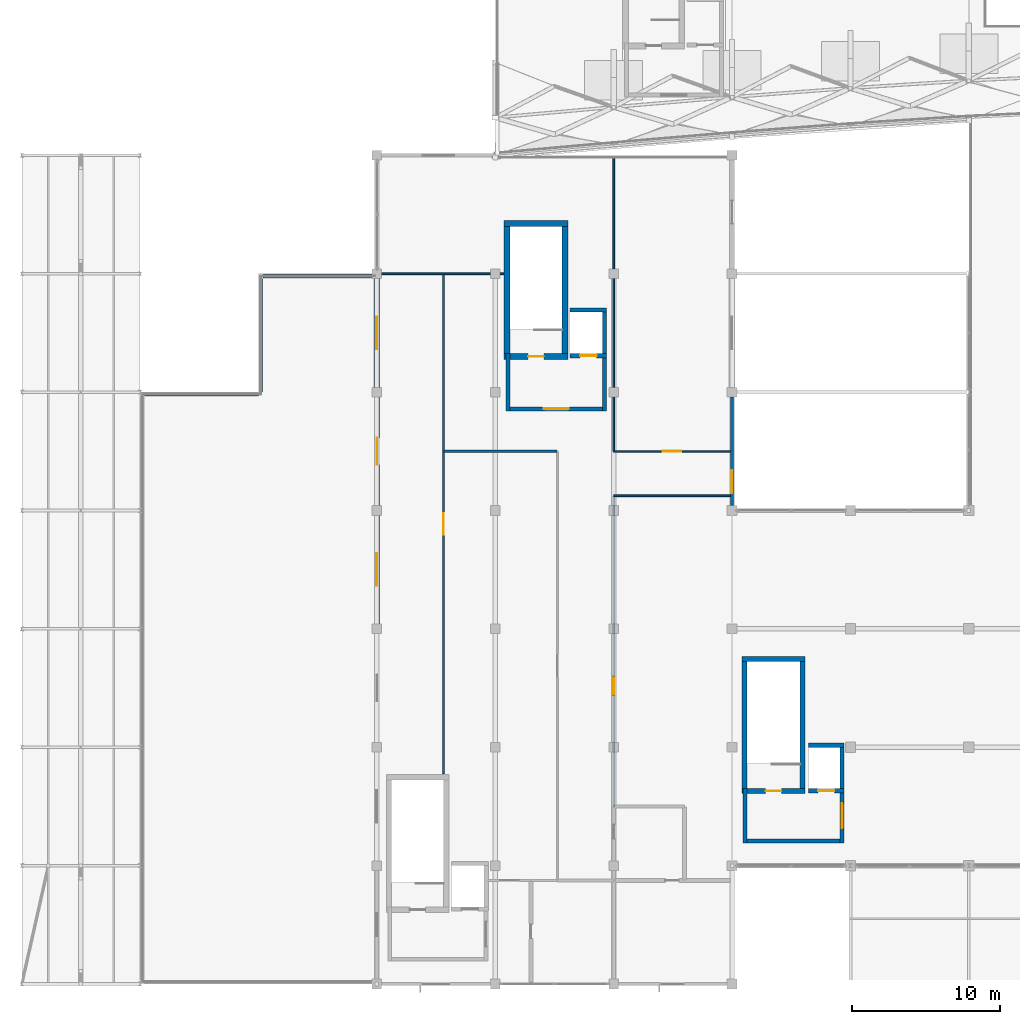
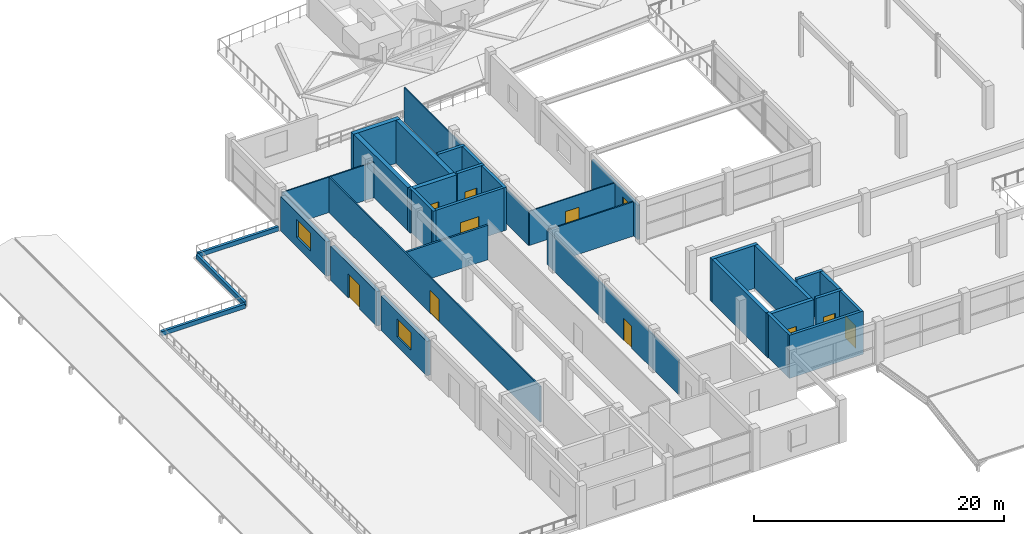
# One storey, part 43 of 67: 34 walls, 10 doors, 3 windows, 13 openings.
"""IFC4 building model written with IfcOpenShell, lengths in metres."""

import ifcopenshell
import ifcopenshell.guid

model = None  # the IFC model being written
_history = None  # IfcOwnerHistory: only IFC2X3 demands one
_inside = {}  # id of a spatial element -> (the spatial element, [elements in it])
_under = {}  # id of a project, library or spatial element -> (it, [spatial elements below it])
_declared = {}  # id of a project -> (the project, [libraries it declares])
_typed = {}  # id of a type object -> (the type object, [elements of that type])
_made_of = {}  # id of a material, layer set ... -> (it, [elements and type objects made of it])


def new_model(schema):
    """Start an empty IFC model of exactly this schema.

    Asked for "IFC4X3", IfcOpenShell would pick the latest addendum, in which some entities
    have other attributes; the version numbers below select the first issue.
    IFC2X3 requires an IfcOwnerHistory on every rooted entity: one is made here for all.
    """
    global model, _history
    if schema == "IFC4X3":
        model = ifcopenshell.file(schema_version=(4, 3, 0, 0))
    else:
        model = ifcopenshell.file(schema=schema)
    _inside.clear()
    _under.clear()
    _declared.clear()
    _typed.clear()
    _made_of.clear()
    _history = None
    if model.schema == "IFC2X3":
        org = make("IfcOrganization", Name="unknown")
        user = make(
            "IfcPersonAndOrganization",
            ThePerson=make("IfcPerson", FamilyName="unknown"),
            TheOrganization=org,
        )
        app = make(
            "IfcApplication",
            ApplicationDeveloper=org,
            Version="unknown",
            ApplicationFullName="unknown",
            ApplicationIdentifier="unknown",
        )
        _history = make(
            "IfcOwnerHistory",
            OwningUser=user,
            OwningApplication=app,
            ChangeAction="ADDED",
            CreationDate=0,
        )
    return model


def make(cls, **values):
    """One entity of the class cls with the attributes given. An attribute that is None is left unset."""
    return model.create_entity(
        cls, **{name: value for name, value in values.items() if value is not None}
    )


def rooted(cls, **values):
    """An entity with a GlobalId (a new one), such as an element, a storey or a relation."""
    return make(cls, GlobalId=ifcopenshell.guid.new(), OwnerHistory=_history, **values)


def si_unit(unit_type, name, prefix=None):
    """IfcSIUnit, for example si_unit("LENGTHUNIT", "METRE", prefix="MILLI")."""
    return make("IfcSIUnit", UnitType=unit_type, Prefix=prefix, Name=name)


def assignment(units):
    """IfcUnitAssignment: the units of a project."""
    return None if units is None else make("IfcUnitAssignment", Units=units)


def point(xyz):
    """IfcCartesianPoint."""
    return None if xyz is None else make("IfcCartesianPoint", Coordinates=xyz)


def direction(xyz):
    """IfcDirection."""
    return None if xyz is None else make("IfcDirection", DirectionRatios=xyz)


def frame(location, z_axis=None, x_axis=None):
    """IfcAxis2Placement3D, a coordinate frame: its origin and axes. An axis left out is left unset."""
    return make(
        "IfcAxis2Placement3D",
        Location=point(location),
        Axis=direction(z_axis),
        RefDirection=direction(x_axis),
    )


def frame_2d(location, x_axis=None):
    """IfcAxis2Placement2D, a coordinate frame in the plane: its origin and x axis."""
    return make(
        "IfcAxis2Placement2D", Location=point(location), RefDirection=direction(x_axis)
    )


def origin():
    """The frame at (0, 0, 0) with its axes left unset."""
    return frame((0.0, 0.0, 0.0))


def place(relative_to, where):
    """IfcLocalPlacement: puts the frame where relative to a parent placement (None: the world)."""
    return make(
        "IfcLocalPlacement", PlacementRelTo=relative_to, RelativePlacement=where
    )


def context(
    kind, dimensions, precision=None, world=None, true_north=None, identifier=None
):
    """IfcGeometricRepresentationContext, for example the 3D "Model" context."""
    return make(
        "IfcGeometricRepresentationContext",
        ContextIdentifier=identifier,
        ContextType=kind,
        CoordinateSpaceDimension=dimensions,
        Precision=precision,
        WorldCoordinateSystem=world,
        TrueNorth=true_north,
    )


def subcontext(parent, identifier, kind, view, scale=None):
    """IfcGeometricRepresentationSubContext, for example "Body" below "Model"."""
    return make(
        "IfcGeometricRepresentationSubContext",
        ContextIdentifier=identifier,
        ContextType=kind,
        ParentContext=parent,
        TargetScale=scale,
        TargetView=view,
    )


def project(units=None, contexts=None):
    """IfcProject with its units and contexts."""
    return rooted(
        "IfcProject",
        Name="project",
        RepresentationContexts=contexts,
        UnitsInContext=assignment(units),
    )


def spatial(cls, under=None, at=None, **own):
    """A site, building, storey or space (cls), placed at a placement, below another one or the project."""
    s = rooted(cls, ObjectPlacement=at, **own)
    if under is not None:
        _under.setdefault(under.id(), (under, []))[1].append(s)
    return s


def profile(cls, at=None, kind="AREA", **sizes):
    """A parametric profile (cls). Its sizes go by their IFC names, for example OverallWidth=200.0."""
    return make(cls, ProfileType=kind, Position=at, **sizes)


def rectangle(**sizes):
    """IfcRectangleProfileDef."""
    return profile("IfcRectangleProfileDef", **sizes)


def extrude(swept, where, along, depth):
    """IfcExtrudedAreaSolid: the profile swept, set in the frame where, extruded along a direction by depth."""
    return make(
        "IfcExtrudedAreaSolid",
        SweptArea=swept,
        Position=where,
        ExtrudedDirection=direction(along),
        Depth=depth,
    )


def shape(context_of_items, identifier, shape_type, items):
    """IfcShapeRepresentation: the items that make up one representation, for example the "Body"."""
    return make(
        "IfcShapeRepresentation",
        ContextOfItems=context_of_items,
        RepresentationIdentifier=identifier,
        RepresentationType=shape_type,
        Items=items,
    )


def material(Name=None, Category=None):
    """IfcMaterial."""
    return make("IfcMaterial", Name=Name, Category=Category)


def layer(
    of_material, thickness, ventilated=None, Name=None, Category=None, Priority=None
):
    """IfcMaterialLayer: one layer of a wall or slab, of a material (None: an air gap)."""
    return make(
        "IfcMaterialLayer",
        Material=of_material,
        LayerThickness=thickness,
        IsVentilated=ventilated,
        Name=Name,
        Category=Category,
        Priority=Priority,
    )


def layer_set(layers, Name=None):
    """IfcMaterialLayerSet."""
    return make("IfcMaterialLayerSet", MaterialLayers=layers, LayerSetName=Name)


def made_of(thing, what):
    """Note that an element or type object is made of a material, layer set ...; save() writes the relation."""
    if what is not None:
        _made_of.setdefault(what.id(), (what, []))[1].append(thing)
    return thing


def type_object(cls, material=None, **own):
    """A type object (cls), such as IfcWallType, which elements share."""
    return made_of(rooted(cls, **own), material)


def element(
    cls,
    number,
    at=None,
    inside=None,
    cuts=None,
    type_object=None,
    material=None,
    context=None,
    identifier="Body",
    shape_type=None,
    held_by="IfcProductDefinitionShape",
    body=None,
    shapes=None,
    **own,
):
    """One element of the class cls, such as IfcWall. Its Tag is "e" and its number.

    at: its placement. inside: the storey or other place that contains it. cuts: it is an
    opening in that element (IfcRelVoidsElement). A single representation is given by context,
    identifier, shape_type and body (its items); several are given by shapes. held_by: the class
    of the entity that holds the representations. save() writes the other relations.
    """
    e = rooted(cls, Tag="e%d" % number, ObjectPlacement=at, **own)
    if body is not None:
        shapes = [shape(context, identifier, shape_type, body)]
    if shapes is not None:
        e.Representation = make(held_by, Representations=shapes)
    if inside is not None:
        _inside.setdefault(inside.id(), (inside, []))[1].append(e)
    if cuts is not None:
        rooted(
            "IfcRelVoidsElement", RelatingBuildingElement=cuts, RelatedOpeningElement=e
        )
    if type_object is not None:
        _typed.setdefault(type_object.id(), (type_object, []))[1].append(e)
    return made_of(e, material)


def fill(opening, filler):
    """IfcRelFillsElement: the door or window that sits in an opening."""
    return rooted(
        "IfcRelFillsElement",
        RelatingOpeningElement=opening,
        RelatedBuildingElement=filler,
    )


def aggregate(whole, parts):
    """IfcRelAggregates: a whole, such as a stair, and the parts it consists of."""
    return rooted("IfcRelAggregates", RelatingObject=whole, RelatedObjects=parts)


def save(model, path):
    """Write the relations noted so far, then the file.

    IfcRelAggregates (storeys below a building ...), IfcRelContainedInSpatialStructure (elements
    in a storey), IfcRelDefinesByType, IfcRelAssociatesMaterial and IfcRelDeclares: one each for
    every whole, place, type object, material and project.
    """
    for whole, parts in _under.values():
        aggregate(whole, parts)
    for where, things in _inside.values():
        rooted(
            "IfcRelContainedInSpatialStructure",
            RelatedElements=things,
            RelatingStructure=where,
        )
    for kind, things in _typed.values():
        rooted("IfcRelDefinesByType", RelatedObjects=things, RelatingType=kind)
    for what, things in _made_of.values():
        rooted("IfcRelAssociatesMaterial", RelatedObjects=things, RelatingMaterial=what)
    for by, libraries in _declared.values():
        rooted("IfcRelDeclares", RelatingContext=by, RelatedDefinitions=libraries)
    model.write(path)


model = new_model("IFC4")

# Units and contexts
model_context = context("Model", 3, precision=1e-05, world=origin(), true_north=direction((0.0, 1.0)))
body_context = subcontext(model_context, "Body", "Model", "MODEL_VIEW")
ifc_project = project(units=[si_unit("LENGTHUNIT", "METRE"), si_unit("AREAUNIT", "SQUARE_METRE"), si_unit("VOLUMEUNIT", "CUBIC_METRE"), si_unit("PLANEANGLEUNIT", "RADIAN"), si_unit("MASSUNIT", "GRAM", prefix="KILO")], contexts=[model_context])

# Site, building, storey
site_placement = place(None, origin())
site = spatial("IfcSite", under=ifc_project, at=site_placement, CompositionType="ELEMENT")
building_placement = place(site_placement, origin())
building = spatial("IfcBuilding", under=site, at=building_placement, Name="Kenh Van Central Station", CompositionType="ELEMENT")
storey_placement = place(building_placement, frame((0.0, 0.0, 10.800048828125)))
storey = spatial("IfcBuildingStorey", under=building, at=storey_placement, Name="L02", CompositionType="ELEMENT", Elevation=10.800048828125)

# Wall, opening, door
ifc_material_1 = material(Name="Concrete C40/50", Category="concrete")
ifc_layer_1 = layer(ifc_material_1, 0.280029296875, Name="Concrete C40/50")
ifc_layer_set_1 = layer_set([ifc_layer_1], Name="Concrete C40/50")
wall_type_1 = type_object("IfcWallType", Name="WL-CORE-280", PredefinedType="SHEAR", material=ifc_layer_set_1)
wall_1_placement = place(storey_placement, frame((37.050048828125, 50.4599609375, 0.0), z_axis=(0.0, 0.0, 1.0), x_axis=(1.0, 0.0, 0.0)))
wall_1 = element("IfcWall", 1, at=wall_1_placement, inside=storey, type_object=wall_type_1, Name="L02 LIFT-P2 shaft wall S", PredefinedType="SHEAR", context=body_context, shape_type="SweptSolid", body=[
    extrude(rectangle(XDim=2.47998046875, YDim=0.280029296875, at=frame_2d((1.239990234375, 0.0))), origin(), (0.0, 0.0, 1.0), 4.199951171875),
])
opening_1_placement = place(wall_1_placement, frame((0.68994140625, 0.0, 0.0)))
opening_1 = element("IfcOpeningElement", 2, at=opening_1_placement, cuts=wall_1, Name="Opening LD-P1", PredefinedType="OPENING", context=body_context, shape_type="SweptSolid", body=[
    extrude(rectangle(XDim=1.10009765625, YDim=2.14990234375, at=frame_2d((0.550048828125, 1.074951171875))), frame((0.0, 0.14990234375, 0.0), z_axis=(0.0, -1.0, 0.0), x_axis=(1.0, 0.0, 0.0)), (0.0, 0.0, 1.0), 0.300048828125),
])
ifc_material_2 = material(Name="Champagne anodised aluminium", Category="aluminium")
door_type_1 = type_object("IfcDoorType", Name="DR-LIFT-1100x2150", OperationType="SLIDING_TO_LEFT", PredefinedType="DOOR", material=ifc_material_2)
door_1_placement = place(opening_1_placement, origin())
door_1 = element("IfcDoor", 3, at=door_1_placement, inside=storey, type_object=door_type_1, Name="L02 LIFT-P2 sliding landing door", OperationType="SLIDING_TO_LEFT", OverallHeight=2.14990234375, OverallWidth=1.10009765625, PredefinedType="DOOR", context=body_context, shape_type="SweptSolid", body=[
    extrude(rectangle(XDim=1.10009765625, YDim=2.14990234375, at=frame_2d((0.550048828125, 1.074951171875))), frame((0.0, 0.02490234375, 0.0), z_axis=(0.0, -1.0, 0.0), x_axis=(1.0, 0.0, 0.0)), (0.0, 0.0, 1.0), 0.050048828125),
])
fill(opening_1, door_1)

# Walls
wall_2_placement = place(storey_placement, frame((37.050048828125, 53.5400390625, 0.0), z_axis=(0.0, 0.0, 1.0), x_axis=(1.0, 0.0, 0.0)))
element("IfcWall", 4, at=wall_2_placement, inside=storey, type_object=wall_type_1, Name="L02 LIFT-P2 shaft wall N", PredefinedType="SHEAR", context=body_context, shape_type="SweptSolid", body=[
    extrude(rectangle(XDim=2.47998046875, YDim=0.280029296875, at=frame_2d((1.239990234375, 0.0))), origin(), (0.0, 0.0, 1.0), 4.199951171875),
])
wall_3_placement = place(storey_placement, frame((39.389892578125, 50.60009765625, 0.0), z_axis=(0.0, 0.0, 1.0), x_axis=(0.0, 1.0, 0.0)))
element("IfcWall", 5, at=wall_3_placement, inside=storey, type_object=wall_type_1, Name="L02 LIFT-P2 shaft wall E", PredefinedType="SHEAR", context=body_context, shape_type="SweptSolid", body=[
    extrude(rectangle(XDim=2.7998046875, YDim=0.280029296875, at=frame_2d((1.39990234375, 0.0))), origin(), (0.0, 0.0, 1.0), 4.199951171875),
])

# Wall, opening, door
wall_4_placement = place(storey_placement, frame((53.14990234375, 21.06005859375, 0.0), z_axis=(0.0, 0.0, 1.0), x_axis=(1.0, 0.0, 0.0)))
wall_4 = element("IfcWall", 6, at=wall_4_placement, inside=storey, type_object=wall_type_1, Name="L02 LIFT-P3 shaft wall S", PredefinedType="SHEAR", context=body_context, shape_type="SweptSolid", body=[
    extrude(rectangle(XDim=2.43017578125, YDim=0.280029296875, at=frame_2d((1.215087890625, 0.0))), origin(), (0.0, 0.0, 1.0), 4.199951171875),
])
opening_2_placement = place(wall_4_placement, frame((0.6650390625, 0.0, 0.0)))
opening_2 = element("IfcOpeningElement", 7, at=opening_2_placement, cuts=wall_4, Name="Opening LD-P1", PredefinedType="OPENING", context=body_context, shape_type="SweptSolid", body=[
    extrude(rectangle(XDim=1.10009765625, YDim=2.14990234375, at=frame_2d((0.550048828125, 1.074951171875))), frame((0.0, 0.14990234375, 0.0), z_axis=(0.0, -1.0, 0.0), x_axis=(1.0, 0.0, 0.0)), (0.0, 0.0, 1.0), 0.300048828125),
])
door_2_placement = place(opening_2_placement, origin())
door_2 = element("IfcDoor", 8, at=door_2_placement, inside=storey, type_object=door_type_1, Name="L02 LIFT-P3 sliding landing door", OperationType="SLIDING_TO_LEFT", OverallHeight=2.14990234375, OverallWidth=1.10009765625, PredefinedType="DOOR", context=body_context, shape_type="SweptSolid", body=[
    extrude(rectangle(XDim=1.10009765625, YDim=2.14990234375, at=frame_2d((0.550048828125, 1.074951171875))), frame((0.0, 0.02490234375, 0.0), z_axis=(0.0, -1.0, 0.0), x_axis=(1.0, 0.0, 0.0)), (0.0, 0.0, 1.0), 0.050048828125),
])
fill(opening_2, door_2)

# Walls
wall_5_placement = place(storey_placement, frame((53.14990234375, 24.139892578125, 0.0), z_axis=(0.0, 0.0, 1.0), x_axis=(1.0, 0.0, 0.0)))
element("IfcWall", 9, at=wall_5_placement, inside=storey, type_object=wall_type_1, Name="L02 LIFT-P3 shaft wall N", PredefinedType="SHEAR", context=body_context, shape_type="SweptSolid", body=[
    extrude(rectangle(XDim=2.43017578125, YDim=0.280029296875, at=frame_2d((1.215087890625, 0.0))), origin(), (0.0, 0.0, 1.0), 4.199951171875),
])
wall_6_placement = place(storey_placement, frame((55.43994140625, 21.199951171875, 0.0), z_axis=(0.0, 0.0, 1.0), x_axis=(0.0, 1.0, 0.0)))
element("IfcWall", 10, at=wall_6_placement, inside=storey, type_object=wall_type_1, Name="L02 LIFT-P3 shaft wall E", PredefinedType="SHEAR", context=body_context, shape_type="SweptSolid", body=[
    extrude(rectangle(XDim=2.800048828125, YDim=0.280029296875, at=frame_2d((1.39990234375, 0.0))), origin(), (0.0, 0.0, 1.0), 4.199951171875),
])

# Wall, opening, door
ifc_layer_2 = layer(ifc_material_1, 0.320068359375, Name="Concrete C40/50")
ifc_layer_set_2 = layer_set([ifc_layer_2], Name="Concrete C40/50")
wall_type_2 = type_object("IfcWallType", Name="WL-CORE-320", PredefinedType="SHEAR", material=ifc_layer_set_2)
wall_7_placement = place(storey_placement, frame((48.679931640625, 21.0400390625, 0.0), z_axis=(0.0, 0.0, 1.0), x_axis=(1.0, 0.0, 0.0)))
wall_7 = element("IfcWall", 11, at=wall_7_placement, inside=storey, type_object=wall_type_2, Name="L02 CORE-03 stair wall S", PredefinedType="SHEAR", context=body_context, shape_type="SweptSolid", body=[
    extrude(rectangle(XDim=4.239990234375, YDim=0.320068359375, at=frame_2d((2.1201171875, 0.0))), origin(), (0.0, 0.0, 1.0), 4.199951171875),
])
opening_3_placement = place(wall_7_placement, frame((1.594970703125, 0.0, 0.0)))
opening_3 = element("IfcOpeningElement", 12, at=opening_3_placement, cuts=wall_7, Name="Opening D-FD60", PredefinedType="OPENING", context=body_context, shape_type="SweptSolid", body=[
    extrude(rectangle(XDim=1.050048828125, YDim=2.14990234375, at=frame_2d((0.52490234375, 1.074951171875))), frame((0.0, 0.169921875, 0.0), z_axis=(0.0, -1.0, 0.0), x_axis=(1.0, 0.0, 0.0)), (0.0, 0.0, 1.0), 0.340087890625),
])
door_type_2 = type_object("IfcDoorType", Name="DR-FIRE-1050x2150", OperationType="NOTDEFINED", PredefinedType="DOOR", material=ifc_material_2)
door_3_placement = place(opening_3_placement, origin())
door_3 = element("IfcDoor", 13, at=door_3_placement, inside=storey, type_object=door_type_2, Name="L02 ST-03 stair door", OperationType="SINGLE_SWING_LEFT", OverallHeight=2.14990234375, OverallWidth=1.050048828125, PredefinedType="DOOR", context=body_context, shape_type="SweptSolid", body=[
    extrude(rectangle(XDim=1.050048828125, YDim=2.14990234375, at=frame_2d((0.52490234375, 1.074951171875))), frame((0.0, 0.02490234375, 0.0), z_axis=(0.0, -1.0, 0.0), x_axis=(1.0, 0.0, 0.0)), (0.0, 0.0, 1.0), 0.050048828125),
])
fill(opening_3, door_3)

# Walls
wall_8_placement = place(storey_placement, frame((48.679931640625, 29.9599609375, 0.0), z_axis=(0.0, 0.0, 1.0), x_axis=(1.0, 0.0, 0.0)))
element("IfcWall", 14, at=wall_8_placement, inside=storey, type_object=wall_type_2, Name="L02 CORE-03 stair wall N", PredefinedType="SHEAR", context=body_context, shape_type="SweptSolid", body=[
    extrude(rectangle(XDim=4.239990234375, YDim=0.320068359375, at=frame_2d((2.1201171875, 0.0))), origin(), (0.0, 0.0, 1.0), 4.199951171875),
])
for number, where, z_axis, x_axis, name in (
    (15, (48.840087890625, 21.199951171875, 0.0), (0.0, 0.0, 1.0), (0.0, 1.0, 0.0), "L02 CORE-03 stair wall W"),
    (16, (52.760009765625, 21.199951171875, 0.0), (0.0, 0.0, 1.0), (0.0, 1.0, 0.0), "L02 CORE-03 stair wall E"),
):
    element("IfcWall", number, at=place(storey_placement, frame(where, z_axis=z_axis, x_axis=x_axis)), inside=storey, type_object=wall_type_2, Name=name, PredefinedType="SHEAR", context=body_context, shape_type="SweptSolid", body=[
        extrude(rectangle(XDim=8.60009765625, YDim=0.320068359375, at=frame_2d((4.300048828125, 0.0))), origin(), (0.0, 0.0, 1.0), 4.199951171875),
    ])

# Wall, opening, door
ifc_layer_3 = layer(ifc_material_1, 0.39990234375, Name="Concrete C40/50")
ifc_layer_set_3 = layer_set([ifc_layer_3], Name="Concrete C40/50")
wall_type_3 = type_object("IfcWallType", Name="WL-CORE-400", PredefinedType="SHEAR", material=ifc_layer_set_3)
wall_9_placement = place(storey_placement, frame((32.60009765625, 50.39990234375, 0.0), z_axis=(0.0, 0.0, 1.0), x_axis=(1.0, 0.0, 0.0)))
wall_9 = element("IfcWall", 17, at=wall_9_placement, inside=storey, type_object=wall_type_3, Name="L02 CORE-02 stair wall S", PredefinedType="SHEAR", context=body_context, shape_type="SweptSolid", body=[
    extrude(rectangle(XDim=4.2998046875, YDim=0.39990234375, at=frame_2d((2.14990234375, 0.0))), origin(), (0.0, 0.0, 1.0), 4.199951171875),
])
opening_4_placement = place(wall_9_placement, frame((1.625, 0.0, 0.0)))
opening_4 = element("IfcOpeningElement", 18, at=opening_4_placement, cuts=wall_9, Name="Opening D-FD60", PredefinedType="OPENING", context=body_context, shape_type="SweptSolid", body=[
    extrude(rectangle(XDim=1.050048828125, YDim=2.14990234375, at=frame_2d((0.52490234375, 1.074951171875))), frame((0.0, 0.2099609375, 0.0), z_axis=(0.0, -1.0, 0.0), x_axis=(1.0, 0.0, 0.0)), (0.0, 0.0, 1.0), 0.419921875),
])
door_4_placement = place(opening_4_placement, origin())
door_4 = element("IfcDoor", 19, at=door_4_placement, inside=storey, type_object=door_type_2, Name="L02 ST-02 stair door", OperationType="SINGLE_SWING_LEFT", OverallHeight=2.14990234375, OverallWidth=1.050048828125, PredefinedType="DOOR", context=body_context, shape_type="SweptSolid", body=[
    extrude(rectangle(XDim=1.050048828125, YDim=2.14990234375, at=frame_2d((0.52490234375, 1.074951171875))), frame((0.0, 0.02490234375, 0.0), z_axis=(0.0, -1.0, 0.0), x_axis=(1.0, 0.0, 0.0)), (0.0, 0.0, 1.0), 0.050048828125),
])
fill(opening_4, door_4)

# Walls
wall_10_placement = place(storey_placement, frame((32.60009765625, 59.39990234375, 0.0), z_axis=(0.0, 0.0, 1.0), x_axis=(1.0, 0.0, 0.0)))
element("IfcWall", 20, at=wall_10_placement, inside=storey, type_object=wall_type_3, Name="L02 CORE-02 stair wall N", PredefinedType="SHEAR", context=body_context, shape_type="SweptSolid", body=[
    extrude(rectangle(XDim=4.2998046875, YDim=0.39990234375, at=frame_2d((2.14990234375, 0.0))), origin(), (0.0, 0.0, 1.0), 4.199951171875),
])
for number, where, z_axis, x_axis, name in (
    (21, (32.800048828125, 50.60009765625, 0.0), (0.0, 0.0, 1.0), (0.0, 1.0, 0.0), "L02 CORE-02 stair wall W"),
    (22, (36.699951171875, 50.60009765625, 0.0), (0.0, 0.0, 1.0), (0.0, 1.0, 0.0), "L02 CORE-02 stair wall E"),
):
    element("IfcWall", number, at=place(storey_placement, frame(where, z_axis=z_axis, x_axis=x_axis)), inside=storey, type_object=wall_type_3, Name=name, PredefinedType="SHEAR", context=body_context, shape_type="SweptSolid", body=[
        extrude(rectangle(XDim=8.599853515625, YDim=0.39990234375, at=frame_2d((4.2998046875, 0.0))), origin(), (0.0, 0.0, 1.0), 4.199951171875),
    ])

# Wall, opening, window
ifc_material_3 = material(Name="Saigon buff sandstone and terracotta masonry", Category="masonry")
ifc_layer_4 = layer(ifc_material_3, 0.330078125, Name="Saigon buff sandstone and terracotta masonry")
ifc_layer_set_4 = layer_set([ifc_layer_4], Name="Saigon buff sandstone and terracotta masonry")
wall_type_4 = type_object("IfcWallType", Name="WL-EXT-330", PredefinedType="STANDARD", material=ifc_layer_set_4)
wall_11_placement = place(storey_placement, frame((24.0, 39.675048828125, 0.0), z_axis=(0.0, 0.0, 1.0), x_axis=(0.0, -1.0, 0.0)))
wall_11 = element("IfcWall", 23, at=wall_11_placement, inside=storey, type_object=wall_type_4, Name="L02 exterior wall 074", PredefinedType="STANDARD", context=body_context, shape_type="SweptSolid", body=[
    extrude(rectangle(XDim=7.35009765625, YDim=0.330078125, at=frame_2d((3.675048828125, 0.0))), origin(), (0.0, 0.0, 1.0), 3.35986328125),
])
opening_5_placement = place(wall_11_placement, frame((2.574951171875, 0.0, 0.949951171875)))
opening_5 = element("IfcOpeningElement", 24, at=opening_5_placement, cuts=wall_11, Name="Opening WN-16", PredefinedType="OPENING", context=body_context, shape_type="SweptSolid", body=[
    extrude(rectangle(XDim=2.199951171875, YDim=1.75, at=frame_2d((1.10009765625, 0.875))), frame((0.0, 0.175048828125, 0.0), z_axis=(0.0, -1.0, 0.0), x_axis=(1.0, 0.0, 0.0)), (0.0, 0.0, 1.0), 0.35009765625),
])
ifc_material_4 = material(Name="Double-glazed low-E laminated solar glass", Category="glass")
window_type_1 = type_object("IfcWindowType", Name="WN-OP02-2200x1750", PartitioningType="DOUBLE_PANEL_VERTICAL", PredefinedType="WINDOW", material=ifc_material_4)
window_1_placement = place(opening_5_placement, origin())
window_1 = element("IfcWindow", 25, at=window_1_placement, inside=storey, type_object=window_type_1, Name="L02 window 045", OverallHeight=1.75, OverallWidth=2.199951171875, PartitioningType="SINGLE_PANEL", PredefinedType="WINDOW", context=body_context, shape_type="SweptSolid", body=[
    extrude(rectangle(XDim=2.199951171875, YDim=1.75, at=frame_2d((1.10009765625, 0.875))), frame((0.0, 0.030029296875, 0.0), z_axis=(0.0, -1.0, 0.0), x_axis=(1.0, 0.0, 0.0)), (0.0, 0.0, 1.0), 0.06005859375),
])
fill(opening_5, window_1)

# Wall, opening, door
ifc_layer_5 = layer(ifc_material_3, 0.35009765625, Name="Saigon buff sandstone and terracotta masonry")
ifc_layer_set_5 = layer_set([ifc_layer_5], Name="Saigon buff sandstone and terracotta masonry")
wall_type_5 = type_object("IfcWallType", Name="WL-EXT-350", PredefinedType="STANDARD", material=ifc_layer_set_5)
wall_12_placement = place(storey_placement, frame((24.0, 47.675048828125, 0.0), z_axis=(0.0, 0.0, 1.0), x_axis=(0.0, -1.0, 0.0)))
wall_12 = element("IfcWall", 26, at=wall_12_placement, inside=storey, type_object=wall_type_5, Name="L02 exterior wall 073", PredefinedType="STANDARD", context=body_context, shape_type="SweptSolid", body=[
    extrude(rectangle(XDim=7.35009765625, YDim=0.35009765625, at=frame_2d((3.675048828125, 0.0))), origin(), (0.0, 0.0, 1.0), 3.35986328125),
])
opening_6_placement = place(wall_12_placement, frame((2.77490234375, 0.0, 0.0)))
opening_6 = element("IfcOpeningElement", 27, at=opening_6_placement, cuts=wall_12, Name="Opening D-EX4", PredefinedType="OPENING", context=body_context, shape_type="SweptSolid", body=[
    extrude(rectangle(XDim=1.800048828125, YDim=2.35009765625, at=frame_2d((0.89990234375, 1.175048828125))), frame((0.0, 0.18505859375, 0.0), z_axis=(0.0, -1.0, 0.0), x_axis=(1.0, 0.0, 0.0)), (0.0, 0.0, 1.0), 0.3701171875),
])
door_type_3 = type_object("IfcDoorType", Name="DR-EXT-1800x2350", OperationType="DOUBLE_DOOR_SINGLE_SWING", PredefinedType="DOOR", material=ifc_material_2)
door_5_placement = place(opening_6_placement, frame((1.800048828125, 0.0, 0.0), z_axis=(0.0, 0.0, 1.0), x_axis=(-1.0, 0.0, 0.0)))
door_5 = element("IfcDoor", 28, at=door_5_placement, inside=storey, type_object=door_type_3, Name="L02 exterior door 029", OperationType="DOUBLE_DOOR_SINGLE_SWING", OverallHeight=2.35009765625, OverallWidth=1.800048828125, PredefinedType="DOOR", context=body_context, shape_type="SweptSolid", body=[
    extrude(rectangle(XDim=1.800048828125, YDim=2.35009765625, at=frame_2d((-0.89990234375, 1.175048828125))), frame((0.0, -0.02490234375, 0.0), z_axis=(0.0, 1.0, 0.0), x_axis=(-1.0, 0.0, 0.0)), (0.0, 0.0, 1.0), 0.050048828125),
])
fill(opening_6, door_5)

# Wall, opening, window
ifc_layer_6 = layer(ifc_material_3, 0.3798828125, Name="Saigon buff sandstone and terracotta masonry")
ifc_layer_set_6 = layer_set([ifc_layer_6], Name="Saigon buff sandstone and terracotta masonry")
wall_type_6 = type_object("IfcWallType", Name="WL-EXT-380", PredefinedType="STANDARD", material=ifc_layer_set_6)
wall_13_placement = place(storey_placement, frame((24.0, 55.675048828125, 0.0), z_axis=(0.0, 0.0, 1.0), x_axis=(0.0, -1.0, 0.0)))
wall_13 = element("IfcWall", 29, at=wall_13_placement, inside=storey, type_object=wall_type_6, Name="L02 exterior wall 072", PredefinedType="STANDARD", context=body_context, shape_type="SweptSolid", body=[
    extrude(rectangle(XDim=7.35009765625, YDim=0.3798828125, at=frame_2d((3.675048828125, 0.0))), origin(), (0.0, 0.0, 1.0), 3.35986328125),
])
opening_7_placement = place(wall_13_placement, frame((2.574951171875, 0.0, 0.949951171875)))
opening_7 = element("IfcOpeningElement", 30, at=opening_7_placement, cuts=wall_13, Name="Opening WN-16", PredefinedType="OPENING", context=body_context, shape_type="SweptSolid", body=[
    extrude(rectangle(XDim=2.199951171875, YDim=1.75, at=frame_2d((1.10009765625, 0.875))), frame((0.0, 0.199951171875, 0.0), z_axis=(0.0, -1.0, 0.0), x_axis=(1.0, 0.0, 0.0)), (0.0, 0.0, 1.0), 0.39990234375),
])
window_2_placement = place(opening_7_placement, origin())
window_2 = element("IfcWindow", 31, at=window_2_placement, inside=storey, type_object=window_type_1, Name="L02 window 044", OverallHeight=1.75, OverallWidth=2.199951171875, PartitioningType="SINGLE_PANEL", PredefinedType="WINDOW", context=body_context, shape_type="SweptSolid", body=[
    extrude(rectangle(XDim=2.199951171875, YDim=1.75, at=frame_2d((1.10009765625, 0.875))), frame((0.0, 0.030029296875, 0.0), z_axis=(0.0, -1.0, 0.0), x_axis=(1.0, 0.0, 0.0)), (0.0, 0.0, 1.0), 0.06005859375),
])
fill(opening_7, window_2)

# Wall, opening, door
ifc_layer_7 = layer(ifc_material_1, 0.260009765625, Name="Concrete C40/50")
ifc_layer_set_7 = layer_set([ifc_layer_7], Name="Concrete C40/50")
wall_type_7 = type_object("IfcWallType", Name="WL-FIRE-260", PredefinedType="SHEAR", material=ifc_layer_set_7)
wall_14_placement = place(storey_placement, frame((39.510009765625, 46.8701171875, 0.0), z_axis=(0.0, 0.0, 1.0), x_axis=(-1.0, 0.0, 0.0)))
wall_14 = element("IfcWall", 32, at=wall_14_placement, inside=storey, type_object=wall_type_7, Name="L02 CORE-02 lobby wall S", PredefinedType="SHEAR", context=body_context, shape_type="SweptSolid", body=[
    extrude(rectangle(XDim=6.77001953125, YDim=0.260009765625, at=frame_2d((3.385009765625, 0.0))), origin(), (0.0, 0.0, 1.0), 4.199951171875),
])
opening_8_placement = place(wall_14_placement, frame((2.534912109375, 0.0, 0.0)))
opening_8 = element("IfcOpeningElement", 33, at=opening_8_placement, cuts=wall_14, Name="Opening D-FD60D", PredefinedType="OPENING", context=body_context, shape_type="SweptSolid", body=[
    extrude(rectangle(XDim=1.699951171875, YDim=2.199951171875, at=frame_2d((0.85009765625, 1.10009765625))), frame((0.0, 0.139892578125, 0.0), z_axis=(0.0, -1.0, 0.0), x_axis=(1.0, 0.0, 0.0)), (0.0, 0.0, 1.0), 0.280029296875),
])
door_type_4 = type_object("IfcDoorType", Name="DR-FIRE-1700x2200", OperationType="DOUBLE_DOOR_SINGLE_SWING", PredefinedType="DOOR", material=ifc_material_2)
door_6_placement = place(opening_8_placement, origin())
door_6 = element("IfcDoor", 34, at=door_6_placement, inside=storey, type_object=door_type_4, Name="L02 CORE-02 smoke-stop lobby door", OperationType="DOUBLE_DOOR_SINGLE_SWING", OverallHeight=2.199951171875, OverallWidth=1.699951171875, PredefinedType="DOOR", context=body_context, shape_type="SweptSolid", body=[
    extrude(rectangle(XDim=1.699951171875, YDim=2.199951171875, at=frame_2d((0.85009765625, 1.10009765625))), frame((0.0, 0.02490234375, 0.0), z_axis=(0.0, -1.0, 0.0), x_axis=(1.0, 0.0, 0.0)), (0.0, 0.0, 1.0), 0.050048828125),
])
fill(opening_8, door_6)

# Walls
for number, where, z_axis, x_axis, name in (
    (35, (32.8701171875, 46.739990234375, 0.0), (0.0, 0.0, 1.0), (0.0, 1.0, 0.0), "L02 CORE-02 lobby wall W"),
    (36, (39.3798828125, 46.739990234375, 0.0), (0.0, 0.0, 1.0), (0.0, 1.0, 0.0), "L02 CORE-02 lobby wall E"),
):
    element("IfcWall", number, at=place(storey_placement, frame(where, z_axis=z_axis, x_axis=x_axis)), inside=storey, type_object=wall_type_7, Name=name, PredefinedType="SHEAR", context=body_context, shape_type="SweptSolid", body=[
        extrude(rectangle(XDim=3.860107421875, YDim=0.260009765625, at=frame_2d((1.93017578125, 0.0))), origin(), (0.0, 0.0, 1.0), 4.199951171875),
    ])
wall_15_placement = place(storey_placement, frame((55.56005859375, 17.669921875, 0.0), z_axis=(0.0, 0.0, 1.0), x_axis=(-1.0, 0.0, 0.0)))
element("IfcWall", 37, at=wall_15_placement, inside=storey, type_object=wall_type_7, Name="L02 CORE-03 lobby wall S", PredefinedType="SHEAR", context=body_context, shape_type="SweptSolid", body=[
    extrude(rectangle(XDim=6.820068359375, YDim=0.260009765625, at=frame_2d((3.41015625, 0.0))), origin(), (0.0, 0.0, 1.0), 4.199951171875),
])
wall_16_placement = place(storey_placement, frame((48.8701171875, 17.5400390625, 0.0), z_axis=(0.0, 0.0, 1.0), x_axis=(0.0, 1.0, 0.0)))
element("IfcWall", 38, at=wall_16_placement, inside=storey, type_object=wall_type_7, Name="L02 CORE-03 lobby wall W", PredefinedType="SHEAR", context=body_context, shape_type="SweptSolid", body=[
    extrude(rectangle(XDim=3.659912109375, YDim=0.260009765625, at=frame_2d((1.830078125, 0.0))), origin(), (0.0, 0.0, 1.0), 4.199951171875),
])

# Wall, opening, door
wall_17_placement = place(storey_placement, frame((55.429931640625, 17.5400390625, 0.0), z_axis=(0.0, 0.0, 1.0), x_axis=(0.0, 1.0, 0.0)))
wall_17 = element("IfcWall", 39, at=wall_17_placement, inside=storey, type_object=wall_type_7, Name="L02 CORE-03 lobby wall E", PredefinedType="SHEAR", context=body_context, shape_type="SweptSolid", body=[
    extrude(rectangle(XDim=3.659912109375, YDim=0.260009765625, at=frame_2d((1.830078125, 0.0))), origin(), (0.0, 0.0, 1.0), 4.199951171875),
])
opening_9_placement = place(wall_17_placement, frame((0.97998046875, 0.0, 0.0)))
opening_9 = element("IfcOpeningElement", 40, at=opening_9_placement, cuts=wall_17, Name="Opening D-FD60D", PredefinedType="OPENING", context=body_context, shape_type="SweptSolid", body=[
    extrude(rectangle(XDim=1.699951171875, YDim=2.199951171875, at=frame_2d((0.85009765625, 1.10009765625))), frame((0.0, 0.139892578125, 0.0), z_axis=(0.0, -1.0, 0.0), x_axis=(1.0, 0.0, 0.0)), (0.0, 0.0, 1.0), 0.280029296875),
])
door_7_placement = place(opening_9_placement, origin())
door_7 = element("IfcDoor", 41, at=door_7_placement, inside=storey, type_object=door_type_4, Name="L02 CORE-03 smoke-stop lobby door", OperationType="DOUBLE_DOOR_SINGLE_SWING", OverallHeight=2.199951171875, OverallWidth=1.699951171875, PredefinedType="DOOR", context=body_context, shape_type="SweptSolid", body=[
    extrude(rectangle(XDim=1.699951171875, YDim=2.199951171875, at=frame_2d((0.85009765625, 1.10009765625))), frame((0.0, 0.02490234375, 0.0), z_axis=(0.0, -1.0, 0.0), x_axis=(1.0, 0.0, 0.0)), (0.0, 0.0, 1.0), 0.050048828125),
])
fill(opening_9, door_7)

# Walls
ifc_material_5 = material(Name="Saigon buff sandstone parapet masonry", Category="masonry")
ifc_layer_8 = layer(ifc_material_5, 0.25, Name="Saigon buff sandstone parapet masonry")
ifc_layer_set_8 = layer_set([ifc_layer_8], Name="Saigon buff sandstone parapet masonry")
wall_type_8 = type_object("IfcWallType", Name="WL-PAR-250", PredefinedType="PARAPET", material=ifc_layer_set_8)
for number, where, z_axis, x_axis, name in (
    (42, (8.31005859375, 47.85009765625, 0.0), (0.0, 0.0, 1.0), (1.0, 0.0, 0.0), "L02 terrace parapet 03"),
    (43, (16.14990234375, 48.010009765625, 0.0), (0.0, 0.0, 1.0), (0.0, 1.0, 0.0), "L02 terrace parapet 04"),
):
    element("IfcWall", number, at=place(storey_placement, frame(where, z_axis=z_axis, x_axis=x_axis)), inside=storey, type_object=wall_type_8, Name=name, PredefinedType="PARAPET", context=body_context, shape_type="SweptSolid", body=[
        extrude(rectangle(XDim=7.679931640625, YDim=0.25, at=frame_2d((3.83984375, 0.0))), origin(), (0.0, 0.0, 1.0), 0.419921875),
    ])
wall_18_placement = place(storey_placement, frame((16.31005859375, 55.85009765625, 0.0), z_axis=(0.0, 0.0, 1.0), x_axis=(1.0, 0.0, 0.0)))
element("IfcWall", 44, at=wall_18_placement, inside=storey, type_object=wall_type_8, Name="L02 terrace parapet 05", PredefinedType="PARAPET", context=body_context, shape_type="SweptSolid", body=[
    extrude(rectangle(XDim=7.3798828125, YDim=0.25, at=frame_2d((3.68994140625, 0.0))), origin(), (0.0, 0.0, 1.0), 0.419921875),
])

# Wall, opening, door
ifc_material_6 = material(Name="Lightweight acoustic masonry blockwork", Category="masonry")
ifc_layer_9 = layer(ifc_material_6, 0.10009765625, Name="Lightweight acoustic masonry blockwork")
ifc_layer_set_9 = layer_set([ifc_layer_9], Name="Lightweight acoustic masonry blockwork")
wall_type_9 = type_object("IfcWallType", Name="WL-PART-100", PredefinedType="PARTITIONING", material=ifc_layer_set_9)
wall_19_placement = place(storey_placement, frame((40.02001953125, 44.0, 0.0), z_axis=(0.0, 0.0, 1.0), x_axis=(1.0, 0.0, 0.0)))
wall_19 = element("IfcWall", 45, at=wall_19_placement, inside=storey, type_object=wall_type_9, Name="L02 interior wall 0146", PredefinedType="PARTITIONING", context=body_context, shape_type="SweptSolid", body=[
    extrude(rectangle(XDim=7.85986328125, YDim=0.10009765625, at=frame_2d((3.929931640625, 0.0))), origin(), (0.0, 0.0, 1.0), 3.35986328125),
])
opening_10_placement = place(wall_19_placement, frame((3.304931640625, 0.0, 0.0)))
opening_10 = element("IfcOpeningElement", 46, at=opening_10_placement, cuts=wall_19, Name="Opening D-IN04", PredefinedType="OPENING", context=body_context, shape_type="SweptSolid", body=[
    extrude(rectangle(XDim=1.25, YDim=2.14990234375, at=frame_2d((0.625, 1.074951171875))), frame((0.0, 0.06005859375, 0.0), z_axis=(0.0, -1.0, 0.0), x_axis=(1.0, 0.0, 0.0)), (0.0, 0.0, 1.0), 0.1201171875),
])
ifc_material_7 = material(Name="Architectural hardwood timber", Category="wood")
door_type_5 = type_object("IfcDoorType", Name="DR-INT-1250x2150", OperationType="NOTDEFINED", PredefinedType="DOOR", material=ifc_material_7)
door_8_placement = place(opening_10_placement, origin())
door_8 = element("IfcDoor", 47, at=door_8_placement, inside=storey, type_object=door_type_5, Name="L02 interior door 0080", OperationType="SINGLE_SWING_LEFT", OverallHeight=2.14990234375, OverallWidth=1.25, PredefinedType="DOOR", context=body_context, shape_type="SweptSolid", body=[
    extrude(rectangle(XDim=1.25, YDim=2.14990234375, at=frame_2d((0.625, 1.074951171875))), frame((0.0, 0.02490234375, 0.0), z_axis=(0.0, -1.0, 0.0), x_axis=(1.0, 0.0, 0.0)), (0.0, 0.0, 1.0), 0.050048828125),
])
fill(opening_10, door_8)

# Walls
ifc_layer_10 = layer(ifc_material_6, 0.114990234375, Name="Lightweight acoustic masonry blockwork")
ifc_layer_set_10 = layer_set([ifc_layer_10], Name="Lightweight acoustic masonry blockwork")
wall_type_10 = type_object("IfcWallType", Name="WL-PART-115", PredefinedType="PARTITIONING", material=ifc_layer_set_10)
wall_20_placement = place(storey_placement, frame((24.1201171875, 56.0, 0.0), z_axis=(0.0, 0.0, 1.0), x_axis=(1.0, 0.0, 0.0)))
element("IfcWall", 48, at=wall_20_placement, inside=storey, type_object=wall_type_10, Name="L02 interior wall 0138", PredefinedType="PARTITIONING", context=body_context, shape_type="SweptSolid", body=[
    extrude(rectangle(XDim=8.4599609375, YDim=0.114990234375, at=frame_2d((4.22998046875, 0.0))), origin(), (0.0, 0.0, 1.0), 3.46435546875),
])
wall_21_placement = place(storey_placement, frame((40.0, 44.02001953125, 0.0), z_axis=(0.0, 0.0, 1.0), x_axis=(0.0, 1.0, 0.0)))
element("IfcWall", 49, at=wall_21_placement, inside=storey, type_object=wall_type_10, Name="L02 interior wall 0145", PredefinedType="PARTITIONING", context=body_context, shape_type="SweptSolid", body=[
    extrude(rectangle(XDim=19.85986328125, YDim=0.114990234375, at=frame_2d((9.929931640625, 0.0))), origin(), (0.0, 0.0, 1.0), 3.35986328125),
])

# Wall, opening, door
ifc_layer_11 = layer(ifc_material_6, 0.125, Name="Lightweight acoustic masonry blockwork")
ifc_layer_set_11 = layer_set([ifc_layer_11], Name="Lightweight acoustic masonry blockwork")
wall_type_11 = type_object("IfcWallType", Name="WL-PART-125", PredefinedType="PARTITIONING", material=ifc_layer_set_11)
wall_22_placement = place(storey_placement, frame((28.5, 22.219970703125, 0.0), z_axis=(0.0, 0.0, 1.0), x_axis=(0.0, 1.0, 0.0)))
wall_22 = element("IfcWall", 50, at=wall_22_placement, inside=storey, type_object=wall_type_11, Name="L02 interior wall 0137", PredefinedType="PARTITIONING", context=body_context, shape_type="SweptSolid", body=[
    extrude(rectangle(XDim=33.760009765625, YDim=0.125, at=frame_2d((16.8798828125, 0.0))), origin(), (0.0, 0.0, 1.0), 3.46435546875),
])
opening_11_placement = place(wall_22_placement, frame((16.155029296875, 0.0, 0.0)))
opening_11 = element("IfcOpeningElement", 51, at=opening_11_placement, cuts=wall_22, Name="Opening D-IN03", PredefinedType="OPENING", context=body_context, shape_type="SweptSolid", body=[
    extrude(rectangle(XDim=1.449951171875, YDim=2.199951171875, at=frame_2d((0.72509765625, 1.10009765625))), frame((0.0, 0.072509765625, 0.0), z_axis=(0.0, -1.0, 0.0), x_axis=(1.0, 0.0, 0.0)), (0.0, 0.0, 1.0), 0.14501953125),
])
door_type_6 = type_object("IfcDoorType", Name="DR-INT-1450x2200", OperationType="DOUBLE_DOOR_SINGLE_SWING", PredefinedType="DOOR", material=ifc_material_7)
door_9_placement = place(opening_11_placement, origin())
door_9 = element("IfcDoor", 52, at=door_9_placement, inside=storey, type_object=door_type_6, Name="L02 interior door 0076", OperationType="DOUBLE_DOOR_SINGLE_SWING", OverallHeight=2.199951171875, OverallWidth=1.449951171875, PredefinedType="DOOR", context=body_context, shape_type="SweptSolid", body=[
    extrude(rectangle(XDim=1.449951171875, YDim=2.199951171875, at=frame_2d((0.72509765625, 1.10009765625))), frame((0.0, 0.02490234375, 0.0), z_axis=(0.0, -1.0, 0.0), x_axis=(1.0, 0.0, 0.0)), (0.0, 0.0, 1.0), 0.050048828125),
])
fill(opening_11, door_9)

# Wall
wall_23_placement = place(storey_placement, frame((40.02001953125, 41.0, 0.0), z_axis=(0.0, 0.0, 1.0), x_axis=(1.0, 0.0, 0.0)))
element("IfcWall", 53, at=wall_23_placement, inside=storey, type_object=wall_type_11, Name="L02 interior wall 0144", PredefinedType="PARTITIONING", context=body_context, shape_type="SweptSolid", body=[
    extrude(rectangle(XDim=7.85986328125, YDim=0.125, at=frame_2d((3.929931640625, 0.0))), origin(), (0.0, 0.0, 1.0), 3.35986328125),
])

# Wall, opening, door
ifc_layer_12 = layer(ifc_material_6, 0.135009765625, Name="Lightweight acoustic masonry blockwork")
ifc_layer_set_12 = layer_set([ifc_layer_12], Name="Lightweight acoustic masonry blockwork")
wall_type_12 = type_object("IfcWallType", Name="WL-PART-135", PredefinedType="PARTITIONING", material=ifc_layer_set_12)
wall_24_placement = place(storey_placement, frame((40.0, 20.02001953125, 0.0), z_axis=(0.0, 0.0, 1.0), x_axis=(0.0, 1.0, 0.0)))
wall_24 = element("IfcWall", 54, at=wall_24_placement, inside=storey, type_object=wall_type_12, Name="L02 interior wall 0143", PredefinedType="PARTITIONING", context=body_context, shape_type="SweptSolid", body=[
    extrude(rectangle(XDim=20.9599609375, YDim=0.135009765625, at=frame_2d((10.47998046875, 0.0))), origin(), (0.0, 0.0, 1.0), 3.35986328125),
])
opening_12_placement = place(wall_24_placement, frame((7.48974609375, 0.0, 0.0)))
opening_12 = element("IfcOpeningElement", 55, at=opening_12_placement, cuts=wall_24, Name="Opening D-IN04", PredefinedType="OPENING", context=body_context, shape_type="SweptSolid", body=[
    extrude(rectangle(XDim=1.25, YDim=2.14990234375, at=frame_2d((0.625, 1.074951171875))), frame((0.0, 0.077392578125, 0.0), z_axis=(0.0, -1.0, 0.0), x_axis=(1.0, 0.0, 0.0)), (0.0, 0.0, 1.0), 0.155029296875),
])
door_10_placement = place(opening_12_placement, origin())
door_10 = element("IfcDoor", 56, at=door_10_placement, inside=storey, type_object=door_type_5, Name="L02 interior door 0079", OperationType="SINGLE_SWING_RIGHT", OverallHeight=2.14990234375, OverallWidth=1.25, PredefinedType="DOOR", context=body_context, shape_type="SweptSolid", body=[
    extrude(rectangle(XDim=1.25, YDim=2.14990234375, at=frame_2d((0.625, 1.074951171875))), frame((0.0, 0.02490234375, 0.0), z_axis=(0.0, -1.0, 0.0), x_axis=(1.0, 0.0, 0.0)), (0.0, 0.0, 1.0), 0.050048828125),
])
fill(opening_12, door_10)

# Wall
ifc_layer_13 = layer(ifc_material_6, 0.175048828125, Name="Lightweight acoustic masonry blockwork")
ifc_layer_set_13 = layer_set([ifc_layer_13], Name="Lightweight acoustic masonry blockwork")
wall_type_13 = type_object("IfcWallType", Name="WL-PART-175", PredefinedType="PARTITIONING", material=ifc_layer_set_13)
wall_25_placement = place(storey_placement, frame((28.52001953125, 44.0, 0.0), z_axis=(0.0, 0.0, 1.0), x_axis=(1.0, 0.0, 0.0)))
element("IfcWall", 57, at=wall_25_placement, inside=storey, type_object=wall_type_13, Name="L02 interior wall 0140", PredefinedType="PARTITIONING", context=body_context, shape_type="SweptSolid", body=[
    extrude(rectangle(XDim=7.659912109375, YDim=0.175048828125, at=frame_2d((3.830078125, 0.0))), origin(), (0.0, 0.0, 1.0), 3.35986328125),
])

# Wall, opening, window
ifc_material_8 = material(Name="Glazed terracotta architectural masonry", Category="masonry")
ifc_layer_14 = layer(ifc_material_8, 0.195068359375, Name="Glazed terracotta architectural masonry")
ifc_layer_set_14 = layer_set([ifc_layer_14], Name="Glazed terracotta architectural masonry")
wall_type_14 = type_object("IfcWallType", Name="WL-SLD-195", PredefinedType="SOLIDWALL", material=ifc_layer_set_14)
wall_26_placement = place(storey_placement, frame((48.0, 40.324951171875, 0.0), z_axis=(0.0, 0.0, 1.0), x_axis=(0.0, 1.0, 0.0)))
wall_26 = element("IfcWall", 58, at=wall_26_placement, inside=storey, type_object=wall_type_14, Name="L02 exterior wall 079", PredefinedType="SOLIDWALL", context=body_context, shape_type="SweptSolid", body=[
    extrude(rectangle(XDim=7.35009765625, YDim=0.195068359375, at=frame_2d((3.675048828125, 0.0))), origin(), (0.0, 0.0, 1.0), 3.35986328125),
])
opening_13_placement = place(wall_26_placement, frame((0.85009765625, 0.0, 0.949951171875)))
opening_13 = element("IfcOpeningElement", 59, at=opening_13_placement, cuts=wall_26, Name="Opening WN-17", PredefinedType="OPENING", context=body_context, shape_type="SweptSolid", body=[
    extrude(rectangle(XDim=1.550048828125, YDim=1.75, at=frame_2d((0.77490234375, 0.875))), frame((0.0, 0.107421875, 0.0), z_axis=(0.0, -1.0, 0.0), x_axis=(1.0, 0.0, 0.0)), (0.0, 0.0, 1.0), 0.215087890625),
])
window_type_2 = type_object("IfcWindowType", Name="WN-OP02-1550x1750", PartitioningType="SINGLE_PANEL", PredefinedType="WINDOW", material=ifc_material_4)
window_3_placement = place(opening_13_placement, origin())
window_3 = element("IfcWindow", 60, at=window_3_placement, inside=storey, type_object=window_type_2, Name="L02 window 049", OverallHeight=1.75, OverallWidth=1.550048828125, PartitioningType="SINGLE_PANEL", PredefinedType="WINDOW", context=body_context, shape_type="SweptSolid", body=[
    extrude(rectangle(XDim=1.550048828125, YDim=1.75, at=frame_2d((0.77490234375, 0.875))), frame((0.0, 0.030029296875, 0.0), z_axis=(0.0, -1.0, 0.0), x_axis=(1.0, 0.0, 0.0)), (0.0, 0.0, 1.0), 0.06005859375),
])
fill(opening_13, window_3)

save(model, "model.ifc")
